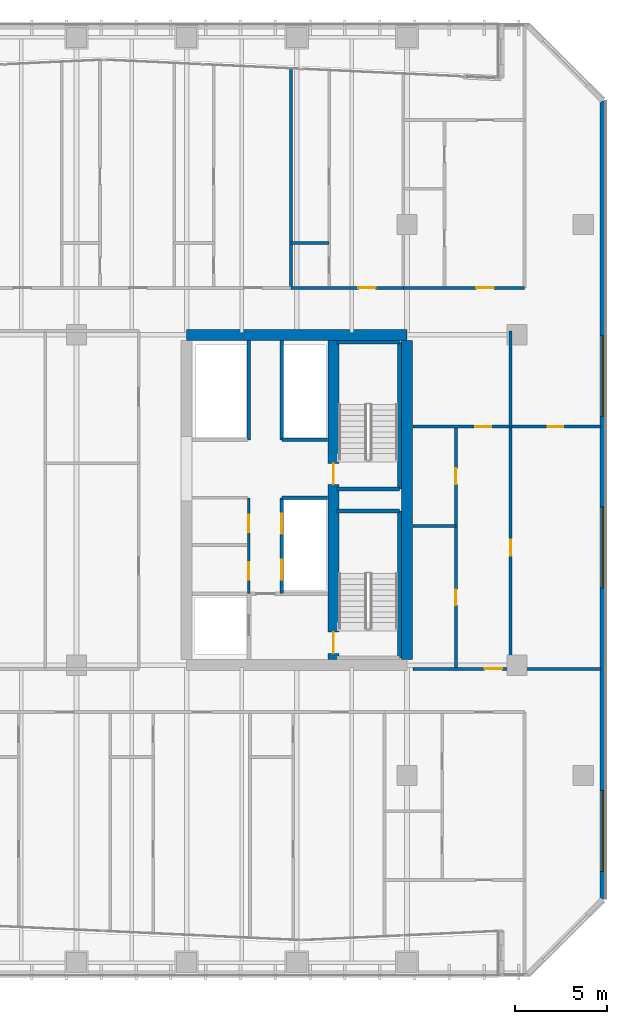
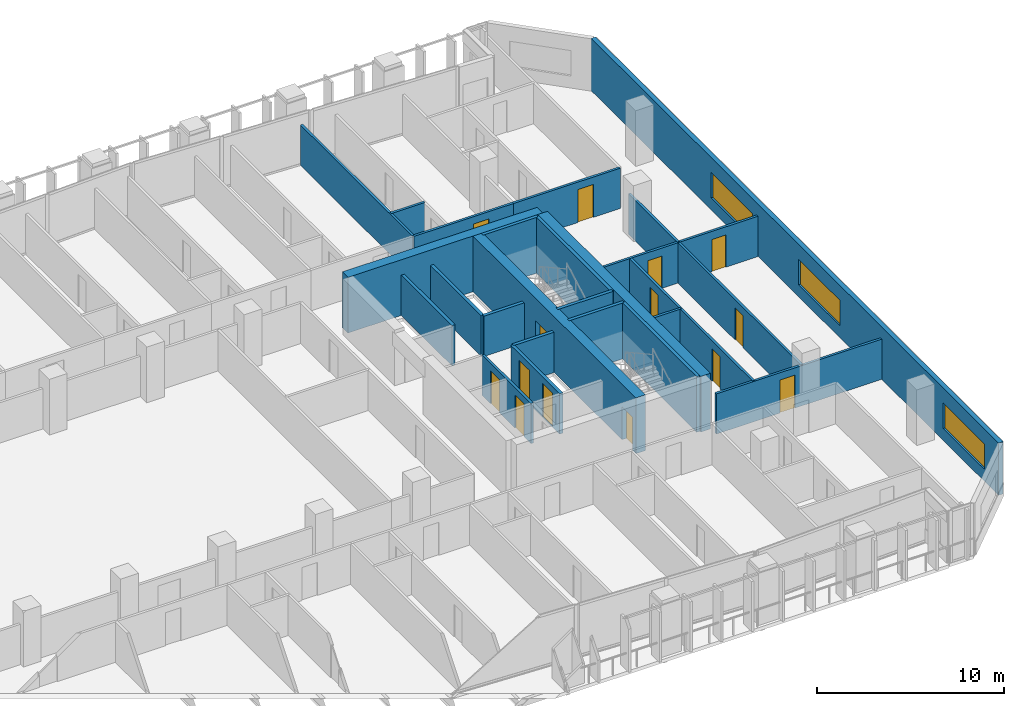
# One storey, part 23 of 31: 25 walls, 14 doors, 3 windows, 17 openings.
"""IFC4 building model written with IfcOpenShell, lengths in metres."""

from ifc_helpers import new_model, si_unit, direction, frame, frame_2d, origin, place, context, subcontext, project, spatial, rectangle, extrude, material, layer, layer_set, type_object, element, fill, save


model = new_model("IFC4")

# Units and contexts
model_context = context("Model", 3, precision=1e-05, world=origin(), true_north=direction((0.0, 1.0)))
body_context = subcontext(model_context, "Body", "Model", "MODEL_VIEW")
ifc_project = project(units=[si_unit("LENGTHUNIT", "METRE"), si_unit("AREAUNIT", "SQUARE_METRE"), si_unit("VOLUMEUNIT", "CUBIC_METRE"), si_unit("PLANEANGLEUNIT", "RADIAN"), si_unit("MASSUNIT", "GRAM", prefix="KILO")], contexts=[model_context])

# Site, building, storey
site_placement = place(None, origin())
site = spatial("IfcSite", under=ifc_project, at=site_placement, CompositionType="ELEMENT")
building_placement = place(site_placement, origin())
building = spatial("IfcBuilding", under=site, at=building_placement, Name="Tanjung Sevakor Pilgrim Tower", CompositionType="ELEMENT")
storey_placement = place(building_placement, frame((0.0, 0.0, 58.739990234375)))
storey = spatial("IfcBuildingStorey", under=building, at=storey_placement, Name="L16", CompositionType="ELEMENT", Elevation=58.739990234375)

# Walls
ifc_material_1 = material(Name="Concrete C60/75", Category="concrete")
ifc_layer_1 = layer(ifc_material_1, 0.60009765625)
ifc_layer_set_1 = layer_set([ifc_layer_1], Name="WALL-CW-600")
wall_type_1 = type_object("IfcWallType", Name="WALL-CW-600", PredefinedType="SHEAR", material=ifc_layer_set_1)
wall_1_placement = place(storey_placement, frame((90.0, 42.60009765625, 0.0), z_axis=(0.0, 0.0, 1.0), x_axis=(-1.0, 0.0, 0.0)))
element("IfcWall", 1, at=wall_1_placement, inside=storey, type_object=wall_type_1, Name="L16 E Core North Shear Wall", PredefinedType="SHEAR", context=body_context, shape_type="SweptSolid", body=[
    extrude(rectangle(XDim=12.0, YDim=0.60009765625, at=frame_2d((6.0, 0.0))), origin(), (0.0, 0.0, 1.0), 3.630126953125),
])
wall_2_placement = place(storey_placement, frame((90.0, 24.89990234375, 0.0), z_axis=(0.0, 0.0, 1.0), x_axis=(0.0, 1.0, 0.0)))
element("IfcWall", 2, at=wall_2_placement, inside=storey, type_object=wall_type_1, Name="L16 E Core Outer Shear Wall", PredefinedType="SHEAR", context=body_context, shape_type="SweptSolid", body=[
    extrude(rectangle(XDim=17.400146484375, YDim=0.60009765625, at=frame_2d((8.7001953125, 0.0))), origin(), (0.0, 0.0, 1.0), 3.630126953125),
])

# Wall, openings, doors
wall_3_placement = place(storey_placement, frame((86.0, 24.89990234375, 0.0), z_axis=(0.0, 0.0, 1.0), x_axis=(0.0, 1.0, 0.0)))
wall_3 = element("IfcWall", 3, at=wall_3_placement, inside=storey, type_object=wall_type_1, Name="L16 E Core Stair Spine Wall", PredefinedType="SHEAR", context=body_context, shape_type="SweptSolid", body=[
    extrude(rectangle(XDim=17.400146484375, YDim=0.60009765625, at=frame_2d((8.7001953125, 0.0))), origin(), (0.0, 0.0, 1.0), 3.630126953125),
])
opening_1_placement = place(wall_3_placement, frame((0.35009765625, 0.0, 0.0)))
opening_1 = element("IfcOpeningElement", 4, at=opening_1_placement, cuts=wall_3, Name="Opening ID-ST1", PredefinedType="OPENING", context=body_context, shape_type="SweptSolid", body=[
    extrude(rectangle(XDim=1.14990234375, YDim=2.14990234375, at=frame_2d((0.574951171875, 1.074951171875))), frame((0.0, 0.31005859375, 0.0), z_axis=(0.0, -1.0, 0.0), x_axis=(1.0, 0.0, 0.0)), (0.0, 0.0, 1.0), 0.6201171875),
])
opening_2_placement = place(wall_3_placement, frame((9.550048828125, 0.0, 0.0)))
opening_2 = element("IfcOpeningElement", 5, at=opening_2_placement, cuts=wall_3, Name="Opening ID-ST1", PredefinedType="OPENING", context=body_context, shape_type="SweptSolid", body=[
    extrude(rectangle(XDim=1.14990234375, YDim=2.14990234375, at=frame_2d((0.574951171875, 1.074951171875))), frame((0.0, 0.31005859375, 0.0), z_axis=(0.0, -1.0, 0.0), x_axis=(1.0, 0.0, 0.0)), (0.0, 0.0, 1.0), 0.6201171875),
])
ifc_material_2 = material(Name="Fire-Rated Steel S355J2", Category="steel")
door_type_1 = type_object("IfcDoorType", Name="DT-FIRE-1150", OperationType="NOTDEFINED", PredefinedType="DOOR", material=ifc_material_2)
door_1_placement = place(opening_1_placement, origin())
door_1 = element("IfcDoor", 6, at=door_1_placement, inside=storey, type_object=door_type_1, Name="L16 TS-E1 Stair Fire Door", OperationType="SINGLE_SWING_RIGHT", OverallHeight=2.14990234375, OverallWidth=1.14990234375, PredefinedType="DOOR", context=body_context, shape_type="SweptSolid", body=[
    extrude(rectangle(XDim=1.14990234375, YDim=2.14990234375, at=frame_2d((0.574951171875, 1.074951171875))), frame((0.0, 0.02490234375, 0.0), z_axis=(0.0, -1.0, 0.0), x_axis=(1.0, 0.0, 0.0)), (0.0, 0.0, 1.0), 0.050048828125),
])
fill(opening_1, door_1)
door_2_placement = place(opening_2_placement, origin())
door_2 = element("IfcDoor", 7, at=door_2_placement, inside=storey, type_object=door_type_1, Name="L16 TS-E2 Stair Fire Door", OperationType="SINGLE_SWING_LEFT", OverallHeight=2.14990234375, OverallWidth=1.14990234375, PredefinedType="DOOR", context=body_context, shape_type="SweptSolid", body=[
    extrude(rectangle(XDim=1.14990234375, YDim=2.14990234375, at=frame_2d((0.574951171875, 1.074951171875))), frame((0.0, 0.02490234375, 0.0), z_axis=(0.0, -1.0, 0.0), x_axis=(1.0, 0.0, 0.0)), (0.0, 0.0, 1.0), 0.050048828125),
])
fill(opening_2, door_2)

ifc_material_3 = material(Name="Concrete C40/50", Category="concrete")
ifc_layer_2 = layer(ifc_material_3, 0.14990234375)
ifc_layer_set_2 = layer_set([ifc_layer_2], Name="WT-COMP-150")
wall_type_2 = type_object("IfcWallType", Name="WT-COMP-150", PredefinedType="SOLIDWALL", material=ifc_layer_set_2)
wall_4_placement = place(storey_placement, frame((81.3798828125, 28.5, 0.0), z_axis=(0.0, 0.0, 1.0), x_axis=(0.0, 1.0, 0.0)))
wall_4 = element("IfcWall", 8, at=wall_4_placement, inside=storey, type_object=wall_type_2, Name="L16 Partition IW-L16-018", PredefinedType="SOLIDWALL", context=body_context, shape_type="SweptSolid", body=[
    extrude(rectangle(XDim=5.219970703125, YDim=0.14990234375, at=frame_2d((2.60986328125, 0.0))), origin(), (0.0, 0.0, 1.0), 2.6298828125),
])
opening_3_placement = place(wall_4_placement, frame((0.75, 0.0, 0.0)))
opening_3 = element("IfcOpeningElement", 9, at=opening_3_placement, cuts=wall_4, Name="Opening ID-FD2", PredefinedType="OPENING", context=body_context, shape_type="SweptSolid", body=[
    extrude(rectangle(XDim=0.949951171875, YDim=2.14990234375, at=frame_2d((0.47509765625, 1.074951171875))), frame((0.0, 0.0849609375, 0.0), z_axis=(0.0, -1.0, 0.0), x_axis=(1.0, 0.0, 0.0)), (0.0, 0.0, 1.0), 0.169921875),
])
opening_4_placement = place(wall_4_placement, frame((3.35009765625, 0.0, 0.0)))
opening_4 = element("IfcOpeningElement", 10, at=opening_4_placement, cuts=wall_4, Name="Opening ID-FD2", PredefinedType="OPENING", context=body_context, shape_type="SweptSolid", body=[
    extrude(rectangle(XDim=0.949951171875, YDim=2.14990234375, at=frame_2d((0.47509765625, 1.074951171875))), frame((0.0, 0.0849609375, 0.0), z_axis=(0.0, -1.0, 0.0), x_axis=(1.0, 0.0, 0.0)), (0.0, 0.0, 1.0), 0.169921875),
])
ifc_material_4 = material(Name="Fire-Rated Timber", Category="wood")
door_type_2 = type_object("IfcDoorType", Name="DT-FIRE-950", OperationType="NOTDEFINED", PredefinedType="DOOR", material=ifc_material_4)
door_3_placement = place(opening_3_placement, origin())
door_3 = element("IfcDoor", 11, at=door_3_placement, inside=storey, type_object=door_type_2, Name="L16 Accessible WC Door", OperationType="SINGLE_SWING_RIGHT", OverallHeight=2.14990234375, OverallWidth=0.949951171875, PredefinedType="DOOR", context=body_context, shape_type="SweptSolid", body=[
    extrude(rectangle(XDim=0.949951171875, YDim=2.14990234375, at=frame_2d((0.47509765625, 1.074951171875))), frame((0.0, 0.02490234375, 0.0), z_axis=(0.0, -1.0, 0.0), x_axis=(1.0, 0.0, 0.0)), (0.0, 0.0, 1.0), 0.050048828125),
])
fill(opening_3, door_3)
door_4_placement = place(opening_4_placement, origin())
door_4 = element("IfcDoor", 12, at=door_4_placement, inside=storey, type_object=door_type_2, Name="L16 Core Service Door", OperationType="SINGLE_SWING_LEFT", OverallHeight=2.14990234375, OverallWidth=0.949951171875, PredefinedType="DOOR", context=body_context, shape_type="SweptSolid", body=[
    extrude(rectangle(XDim=0.949951171875, YDim=2.14990234375, at=frame_2d((0.47509765625, 1.074951171875))), frame((0.0, 0.02490234375, 0.0), z_axis=(0.0, -1.0, 0.0), x_axis=(1.0, 0.0, 0.0)), (0.0, 0.0, 1.0), 0.050048828125),
])
fill(opening_4, door_4)

# Wall, opening, door
wall_5_placement = place(storey_placement, frame((90.320068359375, 24.39990234375, 0.0), z_axis=(0.0, 0.0, 1.0), x_axis=(1.0, 0.0, 0.0)))
wall_5 = element("IfcWall", 13, at=wall_5_placement, inside=storey, type_object=wall_type_2, Name="L16 Partition IW-L16-043", PredefinedType="SOLIDWALL", context=body_context, shape_type="SweptSolid", body=[
    extrude(rectangle(XDim=10.239990234375, YDim=0.14990234375, at=frame_2d((5.1201171875, 0.0))), origin(), (0.0, 0.0, 1.0), 2.625244140625),
])
opening_5_placement = place(wall_5_placement, frame((3.91259765625, 0.0, 0.0)))
opening_5 = element("IfcOpeningElement", 14, at=opening_5_placement, cuts=wall_5, Name="Opening ID-FD2", PredefinedType="OPENING", context=body_context, shape_type="SweptSolid", body=[
    extrude(rectangle(XDim=0.949951171875, YDim=2.14990234375, at=frame_2d((0.47509765625, 1.074951171875))), frame((0.0, 0.0849609375, 0.0), z_axis=(0.0, -1.0, 0.0), x_axis=(1.0, 0.0, 0.0)), (0.0, 0.0, 1.0), 0.169921875),
])
door_5_placement = place(opening_5_placement, origin())
door_5 = element("IfcDoor", 15, at=door_5_placement, inside=storey, type_object=door_type_2, Name="Suite Entrance", OperationType="SINGLE_SWING_LEFT", OverallHeight=2.14990234375, OverallWidth=0.949951171875, PredefinedType="DOOR", context=body_context, shape_type="SweptSolid", body=[
    extrude(rectangle(XDim=0.949951171875, YDim=2.14990234375, at=frame_2d((0.47509765625, 1.074951171875))), frame((0.0, 0.02490234375, 0.0), z_axis=(0.0, -1.0, 0.0), x_axis=(1.0, 0.0, 0.0)), (0.0, 0.0, 1.0), 0.050048828125),
])
fill(opening_5, door_5)

# Wall
wall_6_placement = place(storey_placement, frame((83.681396484375, 45.14990234375, 0.0), z_axis=(0.0, 0.0, 1.0), x_axis=(0.0, 1.0, 0.0)))
element("IfcWall", 16, at=wall_6_placement, inside=storey, type_object=wall_type_2, Name="L16 Partition IW-L16-112", PredefinedType="SOLIDWALL", context=body_context, shape_type="SweptSolid", body=[
    extrude(rectangle(XDim=11.956298828125, YDim=0.14990234375, at=frame_2d((5.97802734375, 0.0))), origin(), (0.0, 0.0, 1.0), 2.6298828125),
])

# Wall, opening, door
wall_7_placement = place(storey_placement, frame((83.681396484375, 45.14990234375, 0.0), z_axis=(0.0, 0.0, 1.0), x_axis=(1.0, 0.0, 0.0)))
wall_7 = element("IfcWall", 17, at=wall_7_placement, inside=storey, type_object=wall_type_2, Name="L16 Partition IW-L16-119", PredefinedType="SOLIDWALL", context=body_context, shape_type="SweptSolid", body=[
    extrude(rectangle(XDim=6.123779296875, YDim=0.14990234375, at=frame_2d((3.06201171875, 0.0))), origin(), (0.0, 0.0, 1.0), 2.6298828125),
])
opening_6_placement = place(wall_7_placement, frame((3.66796875, 0.0, 0.0)))
opening_6 = element("IfcOpeningElement", 18, at=opening_6_placement, cuts=wall_7, Name="Opening ID-FD2", PredefinedType="OPENING", context=body_context, shape_type="SweptSolid", body=[
    extrude(rectangle(XDim=0.949951171875, YDim=2.14990234375, at=frame_2d((0.47509765625, 1.074951171875))), frame((0.0, 0.0849609375, 0.0), z_axis=(0.0, -1.0, 0.0), x_axis=(1.0, 0.0, 0.0)), (0.0, 0.0, 1.0), 0.169921875),
])
door_6_placement = place(opening_6_placement, origin())
door_6 = element("IfcDoor", 19, at=door_6_placement, inside=storey, type_object=door_type_2, Name="Hostel Quad Entrance", OperationType="SINGLE_SWING_LEFT", OverallHeight=2.14990234375, OverallWidth=0.949951171875, PredefinedType="DOOR", context=body_context, shape_type="SweptSolid", body=[
    extrude(rectangle(XDim=0.949951171875, YDim=2.14990234375, at=frame_2d((0.47509765625, 1.074951171875))), frame((0.0, 0.02490234375, 0.0), z_axis=(0.0, -1.0, 0.0), x_axis=(1.0, 0.0, 0.0)), (0.0, 0.0, 1.0), 0.050048828125),
])
fill(opening_6, door_6)

wall_8_placement = place(storey_placement, frame((89.80517578125, 45.14990234375, 0.0), z_axis=(0.0, 0.0, 1.0), x_axis=(1.0, 0.0, 0.0)))
wall_8 = element("IfcWall", 20, at=wall_8_placement, inside=storey, type_object=wall_type_2, Name="L16 Partition IW-L16-123", PredefinedType="SOLIDWALL", context=body_context, shape_type="SweptSolid", body=[
    extrude(rectangle(XDim=6.5947265625, YDim=0.14990234375, at=frame_2d((3.29736328125, 0.0))), origin(), (0.0, 0.0, 1.0), 2.6298828125),
])
opening_7_placement = place(wall_8_placement, frame((3.983642578125, 0.0, 0.0)))
opening_7 = element("IfcOpeningElement", 21, at=opening_7_placement, cuts=wall_8, Name="Opening ID-FD2", PredefinedType="OPENING", context=body_context, shape_type="SweptSolid", body=[
    extrude(rectangle(XDim=0.949951171875, YDim=2.14990234375, at=frame_2d((0.47509765625, 1.074951171875))), frame((0.0, 0.0849609375, 0.0), z_axis=(0.0, -1.0, 0.0), x_axis=(1.0, 0.0, 0.0)), (0.0, 0.0, 1.0), 0.169921875),
])
door_7_placement = place(opening_7_placement, origin())
door_7 = element("IfcDoor", 22, at=door_7_placement, inside=storey, type_object=door_type_2, Name="Residence Entrance", OperationType="SINGLE_SWING_LEFT", OverallHeight=2.14990234375, OverallWidth=0.949951171875, PredefinedType="DOOR", context=body_context, shape_type="SweptSolid", body=[
    extrude(rectangle(XDim=0.949951171875, YDim=2.14990234375, at=frame_2d((0.47509765625, 1.074951171875))), frame((0.0, 0.02490234375, 0.0), z_axis=(0.0, -1.0, 0.0), x_axis=(1.0, 0.0, 0.0)), (0.0, 0.0, 1.0), 0.050048828125),
])
fill(opening_7, door_7)

# Wall, openings, windows
ifc_material_5 = material(Name="Precast concrete C45/55", Category="concrete")
ifc_layer_3 = layer(ifc_material_5, 0.280029296875)
ifc_layer_set_3 = layer_set([ifc_layer_3], Name="WT-EW-STN2")
wall_type_3 = type_object("IfcWallType", Name="WT-EW-STN2", PredefinedType="SOLIDWALL", material=ifc_layer_set_3)
wall_9_placement = place(storey_placement, frame((100.659912109375, 11.85791015625, 0.0), z_axis=(0.0, 0.0, 1.0), x_axis=(0.0, 1.0, 0.0)))
wall_9 = element("IfcWall", 23, at=wall_9_placement, inside=storey, type_object=wall_type_3, Name="L16 MAIN Exterior Wall 17", PredefinedType="SOLIDWALL", context=body_context, shape_type="SweptSolid", body=[
    extrude(rectangle(XDim=43.484130859375, YDim=0.280029296875, at=frame_2d((21.7421875, 0.0))), origin(), (0.0, 0.0, 1.0), 3.409912109375),
])
opening_8_placement = place(wall_9_placement, frame((16.951904296875, 0.0, 0.780029296875)))
opening_8 = element("IfcOpeningElement", 24, at=opening_8_placement, cuts=wall_9, Name="Opening WN-ENDW-1660", PredefinedType="OPENING", context=body_context, shape_type="SweptSolid", body=[
    extrude(rectangle(XDim=4.39990234375, YDim=1.659912109375, at=frame_2d((2.199951171875, 0.830078125))), frame((0.0, 0.14990234375, 0.0), z_axis=(0.0, -1.0, 0.0), x_axis=(1.0, 0.0, 0.0)), (0.0, 0.0, 1.0), 0.300048828125),
])
opening_9_placement = place(wall_9_placement, frame((26.2919921875, 0.0, 0.780029296875)))
opening_9 = element("IfcOpeningElement", 25, at=opening_9_placement, cuts=wall_9, Name="Opening WN-ENDW-1660", PredefinedType="OPENING", context=body_context, shape_type="SweptSolid", body=[
    extrude(rectangle(XDim=4.39990234375, YDim=1.659912109375, at=frame_2d((2.199951171875, 0.830078125))), frame((0.0, 0.14990234375, 0.0), z_axis=(0.0, -1.0, 0.0), x_axis=(1.0, 0.0, 0.0)), (0.0, 0.0, 1.0), 0.300048828125),
])
opening_10_placement = place(wall_9_placement, frame((1.510986328125, 0.0, 0.780029296875)))
opening_10 = element("IfcOpeningElement", 26, at=opening_10_placement, cuts=wall_9, Name="Opening WN-ENDW-1660", PredefinedType="OPENING", context=body_context, shape_type="SweptSolid", body=[
    extrude(rectangle(XDim=4.39990234375, YDim=1.659912109375, at=frame_2d((2.199951171875, 0.830078125))), frame((0.0, 0.14990234375, 0.0), z_axis=(0.0, -1.0, 0.0), x_axis=(1.0, 0.0, 0.0)), (0.0, 0.0, 1.0), 0.300048828125),
])
ifc_material_6 = material(Name="Thermally Broken Aluminium and Low-E Glass", Category="aluminium")
window_type = type_object("IfcWindowType", Name="WTYP-WN-ENDW-1660", PartitioningType="DOUBLE_PANEL_VERTICAL", PredefinedType="WINDOW", material=ifc_material_6)
window_1_placement = place(opening_8_placement, origin())
window_1 = element("IfcWindow", 27, at=window_1_placement, inside=storey, type_object=window_type, Name="L16 Facade Window 01", OverallHeight=1.659912109375, OverallWidth=4.39990234375, PartitioningType="SINGLE_PANEL", PredefinedType="WINDOW", context=body_context, shape_type="SweptSolid", body=[
    extrude(rectangle(XDim=4.39990234375, YDim=1.659912109375, at=frame_2d((2.199951171875, 0.830078125))), frame((0.0, 0.030029296875, 0.0), z_axis=(0.0, -1.0, 0.0), x_axis=(1.0, 0.0, 0.0)), (0.0, 0.0, 1.0), 0.06005859375),
])
fill(opening_8, window_1)
window_2_placement = place(opening_9_placement, origin())
window_2 = element("IfcWindow", 28, at=window_2_placement, inside=storey, type_object=window_type, Name="L16 Facade Window 02", OverallHeight=1.659912109375, OverallWidth=4.39990234375, PartitioningType="SINGLE_PANEL", PredefinedType="WINDOW", context=body_context, shape_type="SweptSolid", body=[
    extrude(rectangle(XDim=4.39990234375, YDim=1.659912109375, at=frame_2d((2.199951171875, 0.830078125))), frame((0.0, 0.030029296875, 0.0), z_axis=(0.0, -1.0, 0.0), x_axis=(1.0, 0.0, 0.0)), (0.0, 0.0, 1.0), 0.06005859375),
])
fill(opening_9, window_2)
window_3_placement = place(opening_10_placement, origin())
window_3 = element("IfcWindow", 29, at=window_3_placement, inside=storey, type_object=window_type, Name="L16 Facade Window 03", OverallHeight=1.659912109375, OverallWidth=4.39990234375, PartitioningType="SINGLE_PANEL", PredefinedType="WINDOW", context=body_context, shape_type="SweptSolid", body=[
    extrude(rectangle(XDim=4.39990234375, YDim=1.659912109375, at=frame_2d((2.199951171875, 0.830078125))), frame((0.0, 0.030029296875, 0.0), z_axis=(0.0, -1.0, 0.0), x_axis=(1.0, 0.0, 0.0)), (0.0, 0.0, 1.0), 0.06005859375),
])
fill(opening_10, window_3)

# Walls
ifc_material_7 = material(Name="Concrete C40/50", Category="concrete")
ifc_layer_4 = layer(ifc_material_7, 0.199951171875)
ifc_layer_set_4 = layer_set([ifc_layer_4], Name="WT-FIRE-200")
wall_type_4 = type_object("IfcWallType", Name="WT-FIRE-200", PredefinedType="SOLIDWALL", material=ifc_layer_set_4)
wall_10_placement = place(storey_placement, frame((89.60009765625, 25.0, 0.0), z_axis=(0.0, 0.0, 1.0), x_axis=(0.0, 1.0, 0.0)))
element("IfcWall", 30, at=wall_10_placement, inside=storey, type_object=wall_type_4, Name="L16 TS-E1 Shaft Wall 2", PredefinedType="SOLIDWALL", context=body_context, shape_type="SweptSolid", body=[
    extrude(rectangle(XDim=8.0, YDim=0.199951171875, at=frame_2d((4.0, 0.0))), origin(), (0.0, 0.0, 1.0), 3.630126953125),
])
for number, where, z_axis, x_axis, name in (
    (31, (89.60009765625, 33.0, 0.0), (0.0, 0.0, 1.0), (-1.0, 0.0, 0.0), "L16 TS-E1 Shaft Wall 3"),
    (32, (86.199951171875, 34.199951171875, 0.0), (0.0, 0.0, 1.0), (1.0, 0.0, 0.0), "L16 TS-E2 Shaft Wall 1"),
):
    element("IfcWall", number, at=place(storey_placement, frame(where, z_axis=z_axis, x_axis=x_axis)), inside=storey, type_object=wall_type_4, Name=name, PredefinedType="SOLIDWALL", context=body_context, shape_type="SweptSolid", body=[
        extrude(rectangle(XDim=3.400146484375, YDim=0.199951171875, at=frame_2d((1.7001953125, 0.0))), origin(), (0.0, 0.0, 1.0), 3.630126953125),
    ])
wall_11_placement = place(storey_placement, frame((89.60009765625, 34.199951171875, 0.0), z_axis=(0.0, 0.0, 1.0), x_axis=(0.0, 1.0, 0.0)))
element("IfcWall", 33, at=wall_11_placement, inside=storey, type_object=wall_type_4, Name="L16 TS-E2 Shaft Wall 2", PredefinedType="SOLIDWALL", context=body_context, shape_type="SweptSolid", body=[
    extrude(rectangle(XDim=8.0, YDim=0.199951171875, at=frame_2d((4.0, 0.0))), origin(), (0.0, 0.0, 1.0), 3.630126953125),
])
wall_12_placement = place(storey_placement, frame((89.60009765625, 42.199951171875, 0.0), z_axis=(0.0, 0.0, 1.0), x_axis=(-1.0, 0.0, 0.0)))
element("IfcWall", 34, at=wall_12_placement, inside=storey, type_object=wall_type_4, Name="L16 TS-E2 Shaft Wall 3", PredefinedType="SOLIDWALL", context=body_context, shape_type="SweptSolid", body=[
    extrude(rectangle(XDim=3.400146484375, YDim=0.199951171875, at=frame_2d((1.7001953125, 0.0))), origin(), (0.0, 0.0, 1.0), 3.630126953125),
])
ifc_material_8 = material(Name="Concrete C40/50", Category="concrete")
ifc_layer_5 = layer(ifc_material_8, 0.199951171875)
ifc_layer_set_5 = layer_set([ifc_layer_5], Name="WT-FPRT-200")
wall_type_5 = type_object("IfcWallType", Name="WT-FPRT-200", PredefinedType="SOLIDWALL", material=ifc_layer_set_5)
wall_13_placement = place(storey_placement, frame((83.199951171875, 33.719970703125, 0.0), z_axis=(0.0, 0.0, 1.0), x_axis=(1.0, 0.0, 0.0)))
element("IfcWall", 35, at=wall_13_placement, inside=storey, type_object=wall_type_5, Name="L16 Partition IW-L16-014", PredefinedType="SOLIDWALL", context=body_context, shape_type="SweptSolid", body=[
    extrude(rectangle(XDim=2.47998046875, YDim=0.199951171875, at=frame_2d((1.239990234375, 0.0))), origin(), (0.0, 0.0, 1.0), 2.6298828125),
])

# Wall, openings, doors
wall_14_placement = place(storey_placement, frame((83.179931640625, 28.5, 0.0), z_axis=(0.0, 0.0, 1.0), x_axis=(0.0, 1.0, 0.0)))
wall_14 = element("IfcWall", 36, at=wall_14_placement, inside=storey, type_object=wall_type_5, Name="L16 Partition IW-L16-015", PredefinedType="SOLIDWALL", context=body_context, shape_type="SweptSolid", body=[
    extrude(rectangle(XDim=5.219970703125, YDim=0.199951171875, at=frame_2d((2.60986328125, 0.0))), origin(), (0.0, 0.0, 1.0), 2.6298828125),
])
opening_11_placement = place(wall_14_placement, frame((0.75, 0.0, 0.0)))
opening_11 = element("IfcOpeningElement", 37, at=opening_11_placement, cuts=wall_14, Name="Opening LD-1100", PredefinedType="OPENING", context=body_context, shape_type="SweptSolid", body=[
    extrude(rectangle(XDim=1.10009765625, YDim=2.199951171875, at=frame_2d((0.550048828125, 1.10009765625))), frame((0.0, 0.10986328125, 0.0), z_axis=(0.0, -1.0, 0.0), x_axis=(1.0, 0.0, 0.0)), (0.0, 0.0, 1.0), 0.219970703125),
])
opening_12_placement = place(wall_14_placement, frame((3.25, 0.0, 0.0)))
opening_12 = element("IfcOpeningElement", 38, at=opening_12_placement, cuts=wall_14, Name="Opening LD-1100", PredefinedType="OPENING", context=body_context, shape_type="SweptSolid", body=[
    extrude(rectangle(XDim=1.10009765625, YDim=2.199951171875, at=frame_2d((0.550048828125, 1.10009765625))), frame((0.0, 0.10986328125, 0.0), z_axis=(0.0, -1.0, 0.0), x_axis=(1.0, 0.0, 0.0)), (0.0, 0.0, 1.0), 0.219970703125),
])
ifc_material_9 = material(Name="Brushed Stainless Steel S355J2", Category="steel")
door_type_3 = type_object("IfcDoorType", Name="DT-LIFT-1100", OperationType="SLIDING_TO_LEFT", PredefinedType="DOOR", material=ifc_material_9)
door_8_placement = place(opening_11_placement, origin())
door_8 = element("IfcDoor", 39, at=door_8_placement, inside=storey, type_object=door_type_3, Name="LD-PLL1-E", OperationType="SLIDING_TO_LEFT", OverallHeight=2.199951171875, OverallWidth=1.10009765625, PredefinedType="DOOR", context=body_context, shape_type="SweptSolid", body=[
    extrude(rectangle(XDim=1.10009765625, YDim=2.199951171875, at=frame_2d((0.550048828125, 1.10009765625))), frame((0.0, 0.02490234375, 0.0), z_axis=(0.0, -1.0, 0.0), x_axis=(1.0, 0.0, 0.0)), (0.0, 0.0, 1.0), 0.050048828125),
])
fill(opening_11, door_8)
door_9_placement = place(opening_12_placement, origin())
door_9 = element("IfcDoor", 40, at=door_9_placement, inside=storey, type_object=door_type_3, Name="LD-PLL2-E", OperationType="SLIDING_TO_RIGHT", OverallHeight=2.199951171875, OverallWidth=1.10009765625, PredefinedType="DOOR", context=body_context, shape_type="SweptSolid", body=[
    extrude(rectangle(XDim=1.10009765625, YDim=2.199951171875, at=frame_2d((0.550048828125, 1.10009765625))), frame((0.0, 0.02490234375, 0.0), z_axis=(0.0, -1.0, 0.0), x_axis=(1.0, 0.0, 0.0)), (0.0, 0.0, 1.0), 0.050048828125),
])
fill(opening_12, door_9)

# Walls
wall_15_placement = place(storey_placement, frame((83.199951171875, 36.8798828125, 0.0), z_axis=(0.0, 0.0, 1.0), x_axis=(1.0, 0.0, 0.0)))
element("IfcWall", 41, at=wall_15_placement, inside=storey, type_object=wall_type_5, Name="L16 Partition IW-L16-019", PredefinedType="SOLIDWALL", context=body_context, shape_type="SweptSolid", body=[
    extrude(rectangle(XDim=2.47998046875, YDim=0.199951171875, at=frame_2d((1.239990234375, 0.0))), origin(), (0.0, 0.0, 1.0), 2.6298828125),
])
for number, where, z_axis, x_axis, name in (
    (42, (83.179931640625, 36.8798828125, 0.0), (0.0, 0.0, 1.0), (0.0, 1.0, 0.0), "L16 Partition IW-L16-020"),
    (43, (81.3798828125, 36.8798828125, 0.0), (0.0, 0.0, 1.0), (0.0, 1.0, 0.0), "L16 Partition IW-L16-022"),
):
    element("IfcWall", number, at=place(storey_placement, frame(where, z_axis=z_axis, x_axis=x_axis)), inside=storey, type_object=wall_type_5, Name=name, PredefinedType="SOLIDWALL", context=body_context, shape_type="SweptSolid", body=[
        extrude(rectangle(XDim=5.420166015625, YDim=0.199951171875, at=frame_2d((2.7099609375, 0.0))), origin(), (0.0, 0.0, 1.0), 2.6298828125),
    ])

# Wall, opening, door
ifc_material_10 = material(Name="Gypsum Board Partition", Category="gypsum board")
ifc_layer_6 = layer(ifc_material_10, 0.14990234375)
ifc_layer_set_6 = layer_set([ifc_layer_6], Name="WT-PART-150")
wall_type_6 = type_object("IfcWallType", Name="WT-PART-150", PredefinedType="PARTITIONING", material=ifc_layer_set_6)
wall_16_placement = place(storey_placement, frame((95.644775390625, 24.39990234375, 0.0), z_axis=(0.0, 0.0, 1.0), x_axis=(0.0, 1.0, 0.0)))
wall_16 = element("IfcWall", 44, at=wall_16_placement, inside=storey, type_object=wall_type_6, Name="L16 Partition IW-L16-038", PredefinedType="PARTITIONING", context=body_context, shape_type="SweptSolid", body=[
    extrude(rectangle(XDim=13.2001953125, YDim=0.14990234375, at=frame_2d((6.60009765625, 0.0))), origin(), (0.0, 0.0, 1.0), 2.6298828125),
])
opening_13_placement = place(wall_16_placement, frame((6.175048828125, 0.0, 0.0)))
opening_13 = element("IfcOpeningElement", 45, at=opening_13_placement, cuts=wall_16, Name="Opening ID-WC1", PredefinedType="OPENING", context=body_context, shape_type="SweptSolid", body=[
    extrude(rectangle(XDim=0.85009765625, YDim=2.10009765625, at=frame_2d((0.425048828125, 1.050048828125))), frame((0.0, 0.0849609375, 0.0), z_axis=(0.0, -1.0, 0.0), x_axis=(1.0, 0.0, 0.0)), (0.0, 0.0, 1.0), 0.169921875),
])
ifc_material_11 = material(Name="Moisture-Resistant Timber", Category="wood")
door_type_4 = type_object("IfcDoorType", Name="DT-INT-850", OperationType="NOTDEFINED", PredefinedType="DOOR", material=ifc_material_11)
door_10_placement = place(opening_13_placement, origin())
door_10 = element("IfcDoor", 46, at=door_10_placement, inside=storey, type_object=door_type_4, Name="Suite Study Room Door", OperationType="SINGLE_SWING_RIGHT", OverallHeight=2.10009765625, OverallWidth=0.85009765625, PredefinedType="DOOR", context=body_context, shape_type="SweptSolid", body=[
    extrude(rectangle(XDim=0.85009765625, YDim=2.10009765625, at=frame_2d((0.425048828125, 1.050048828125))), frame((0.0, 0.02490234375, 0.0), z_axis=(0.0, -1.0, 0.0), x_axis=(1.0, 0.0, 0.0)), (0.0, 0.0, 1.0), 0.050048828125),
])
fill(opening_13, door_10)

# Wall
wall_17_placement = place(storey_placement, frame((90.320068359375, 32.18798828125, 0.0), z_axis=(0.0, 0.0, 1.0), x_axis=(1.0, 0.0, 0.0)))
element("IfcWall", 47, at=wall_17_placement, inside=storey, type_object=wall_type_6, Name="L16 Partition IW-L16-039", PredefinedType="PARTITIONING", context=body_context, shape_type="SweptSolid", body=[
    extrude(rectangle(XDim=2.349853515625, YDim=0.14990234375, at=frame_2d((1.1748046875, 0.0))), origin(), (0.0, 0.0, 1.0), 2.6298828125),
])

# Wall, openings, doors
wall_18_placement = place(storey_placement, frame((92.669921875, 24.39990234375, 0.0), z_axis=(0.0, 0.0, 1.0), x_axis=(0.0, 1.0, 0.0)))
wall_18 = element("IfcWall", 48, at=wall_18_placement, inside=storey, type_object=wall_type_6, Name="L16 Partition IW-L16-040", PredefinedType="PARTITIONING", context=body_context, shape_type="SweptSolid", body=[
    extrude(rectangle(XDim=13.2001953125, YDim=0.14990234375, at=frame_2d((6.60009765625, 0.0))), origin(), (0.0, 0.0, 1.0), 2.6298828125),
])
opening_14_placement = place(wall_18_placement, frame((3.468994140625, 0.0, 0.0)))
opening_14 = element("IfcOpeningElement", 49, at=opening_14_placement, cuts=wall_18, Name="Opening ID-WC1", PredefinedType="OPENING", context=body_context, shape_type="SweptSolid", body=[
    extrude(rectangle(XDim=0.85009765625, YDim=2.10009765625, at=frame_2d((0.425048828125, 1.050048828125))), frame((0.0, 0.0849609375, 0.0), z_axis=(0.0, -1.0, 0.0), x_axis=(1.0, 0.0, 0.0)), (0.0, 0.0, 1.0), 0.169921875),
])
opening_15_placement = place(wall_18_placement, frame((10.069091796875, 0.0, 0.0)))
opening_15 = element("IfcOpeningElement", 50, at=opening_15_placement, cuts=wall_18, Name="Opening ID-WC1", PredefinedType="OPENING", context=body_context, shape_type="SweptSolid", body=[
    extrude(rectangle(XDim=0.85009765625, YDim=2.10009765625, at=frame_2d((0.425048828125, 1.050048828125))), frame((0.0, 0.0849609375, 0.0), z_axis=(0.0, -1.0, 0.0), x_axis=(1.0, 0.0, 0.0)), (0.0, 0.0, 1.0), 0.169921875),
])
door_11_placement = place(opening_14_placement, origin())
door_11 = element("IfcDoor", 51, at=door_11_placement, inside=storey, type_object=door_type_4, Name="Suite Kitchenette Door", OperationType="SINGLE_SWING_LEFT", OverallHeight=2.10009765625, OverallWidth=0.85009765625, PredefinedType="DOOR", context=body_context, shape_type="SweptSolid", body=[
    extrude(rectangle(XDim=0.85009765625, YDim=2.10009765625, at=frame_2d((0.425048828125, 1.050048828125))), frame((0.0, 0.02490234375, 0.0), z_axis=(0.0, -1.0, 0.0), x_axis=(1.0, 0.0, 0.0)), (0.0, 0.0, 1.0), 0.050048828125),
])
fill(opening_14, door_11)
door_12_placement = place(opening_15_placement, origin())
door_12 = element("IfcDoor", 52, at=door_12_placement, inside=storey, type_object=door_type_4, Name="Suite Bathroom Door", OperationType="SINGLE_SWING_RIGHT", OverallHeight=2.10009765625, OverallWidth=0.85009765625, PredefinedType="DOOR", context=body_context, shape_type="SweptSolid", body=[
    extrude(rectangle(XDim=0.85009765625, YDim=2.10009765625, at=frame_2d((0.425048828125, 1.050048828125))), frame((0.0, 0.02490234375, 0.0), z_axis=(0.0, -1.0, 0.0), x_axis=(1.0, 0.0, 0.0)), (0.0, 0.0, 1.0), 0.050048828125),
])
fill(opening_15, door_12)

# Wall
wall_19_placement = place(storey_placement, frame((95.644775390625, 37.60009765625, 0.0), z_axis=(0.0, 0.0, 1.0), x_axis=(0.0, 1.0, 0.0)))
element("IfcWall", 53, at=wall_19_placement, inside=storey, type_object=wall_type_6, Name="L16 Partition IW-L16-041", PredefinedType="PARTITIONING", context=body_context, shape_type="SweptSolid", body=[
    extrude(rectangle(XDim=5.199951171875, YDim=0.14990234375, at=frame_2d((2.60009765625, 0.0))), origin(), (0.0, 0.0, 1.0), 2.6298828125),
])

# Wall, openings, doors
wall_20_placement = place(storey_placement, frame((90.320068359375, 37.60009765625, 0.0), z_axis=(0.0, 0.0, 1.0), x_axis=(1.0, 0.0, 0.0)))
wall_20 = element("IfcWall", 54, at=wall_20_placement, inside=storey, type_object=wall_type_6, Name="L16 Partition IW-L16-042", PredefinedType="PARTITIONING", context=body_context, shape_type="SweptSolid", body=[
    extrude(rectangle(XDim=10.239990234375, YDim=0.14990234375, at=frame_2d((5.1201171875, 0.0))), origin(), (0.0, 0.0, 1.0), 2.6298828125),
])
opening_16_placement = place(wall_20_placement, frame((3.412353515625, 0.0, 0.0)))
opening_16 = element("IfcOpeningElement", 55, at=opening_16_placement, cuts=wall_20, Name="Opening ID-WC1", PredefinedType="OPENING", context=body_context, shape_type="SweptSolid", body=[
    extrude(rectangle(XDim=0.85009765625, YDim=2.10009765625, at=frame_2d((0.425048828125, 1.050048828125))), frame((0.0, 0.0849609375, 0.0), z_axis=(0.0, -1.0, 0.0), x_axis=(1.0, 0.0, 0.0)), (0.0, 0.0, 1.0), 0.169921875),
])
opening_17_placement = place(wall_20_placement, frame((7.357421875, 0.0, 0.0)))
opening_17 = element("IfcOpeningElement", 56, at=opening_17_placement, cuts=wall_20, Name="Opening ID-WC1", PredefinedType="OPENING", context=body_context, shape_type="SweptSolid", body=[
    extrude(rectangle(XDim=0.85009765625, YDim=2.10009765625, at=frame_2d((0.425048828125, 1.050048828125))), frame((0.0, 0.0849609375, 0.0), z_axis=(0.0, -1.0, 0.0), x_axis=(1.0, 0.0, 0.0)), (0.0, 0.0, 1.0), 0.169921875),
])
door_13_placement = place(opening_16_placement, origin())
door_13 = element("IfcDoor", 57, at=door_13_placement, inside=storey, type_object=door_type_4, Name="Suite Bedroom 1 Door", OperationType="SINGLE_SWING_LEFT", OverallHeight=2.10009765625, OverallWidth=0.85009765625, PredefinedType="DOOR", context=body_context, shape_type="SweptSolid", body=[
    extrude(rectangle(XDim=0.85009765625, YDim=2.10009765625, at=frame_2d((0.425048828125, 1.050048828125))), frame((0.0, 0.02490234375, 0.0), z_axis=(0.0, -1.0, 0.0), x_axis=(1.0, 0.0, 0.0)), (0.0, 0.0, 1.0), 0.050048828125),
])
fill(opening_16, door_13)
door_14_placement = place(opening_17_placement, origin())
door_14 = element("IfcDoor", 58, at=door_14_placement, inside=storey, type_object=door_type_4, Name="Suite Bedroom 2 Door", OperationType="SINGLE_SWING_RIGHT", OverallHeight=2.10009765625, OverallWidth=0.85009765625, PredefinedType="DOOR", context=body_context, shape_type="SweptSolid", body=[
    extrude(rectangle(XDim=0.85009765625, YDim=2.10009765625, at=frame_2d((0.425048828125, 1.050048828125))), frame((0.0, 0.02490234375, 0.0), z_axis=(0.0, -1.0, 0.0), x_axis=(1.0, 0.0, 0.0)), (0.0, 0.0, 1.0), 0.050048828125),
])
fill(opening_17, door_14)

# Wall
wall_21_placement = place(storey_placement, frame((83.681396484375, 47.60009765625, 0.0), z_axis=(0.0, 0.0, 1.0), x_axis=(1.0, 0.0, 0.0)))
element("IfcWall", 59, at=wall_21_placement, inside=storey, type_object=wall_type_6, Name="L16 Partition IW-L16-117", PredefinedType="PARTITIONING", context=body_context, shape_type="SweptSolid", body=[
    extrude(rectangle(XDim=2.08203125, YDim=0.14990234375, at=frame_2d((1.041015625, 0.0))), origin(), (0.0, 0.0, 1.0), 2.6298828125),
])

save(model, "model.ifc")
